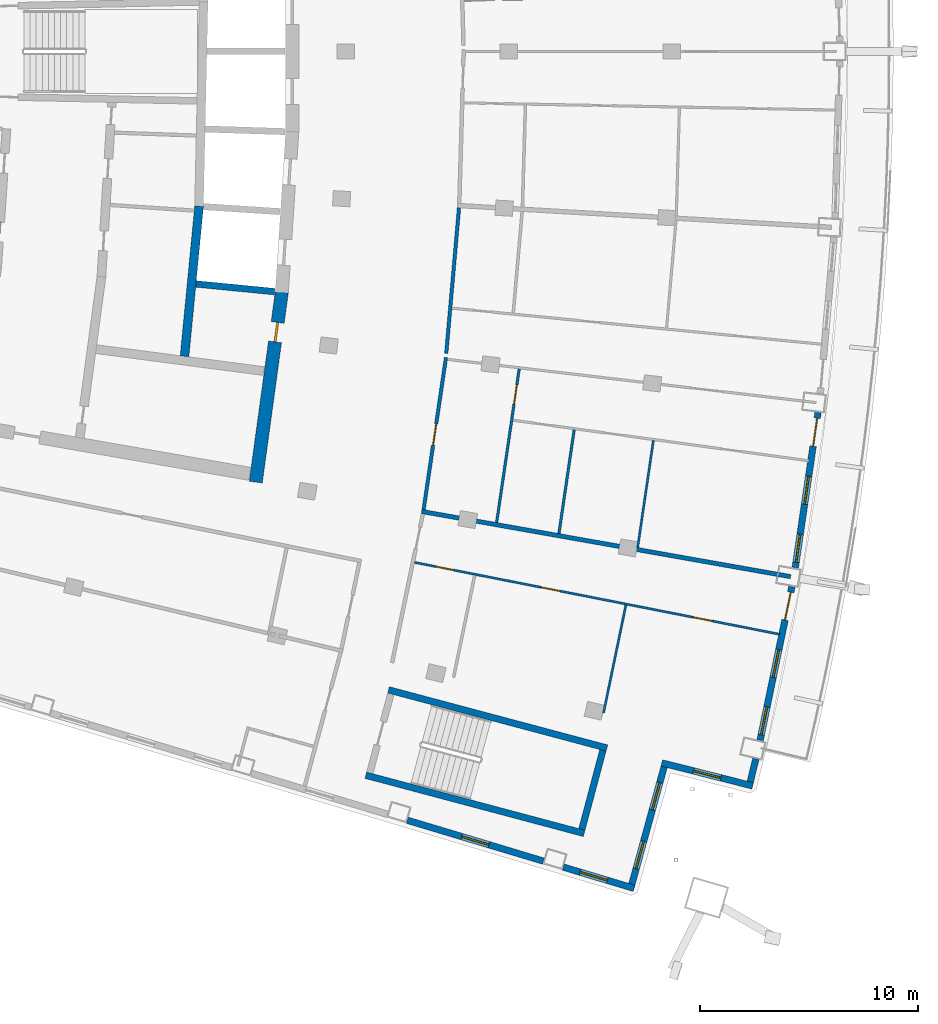
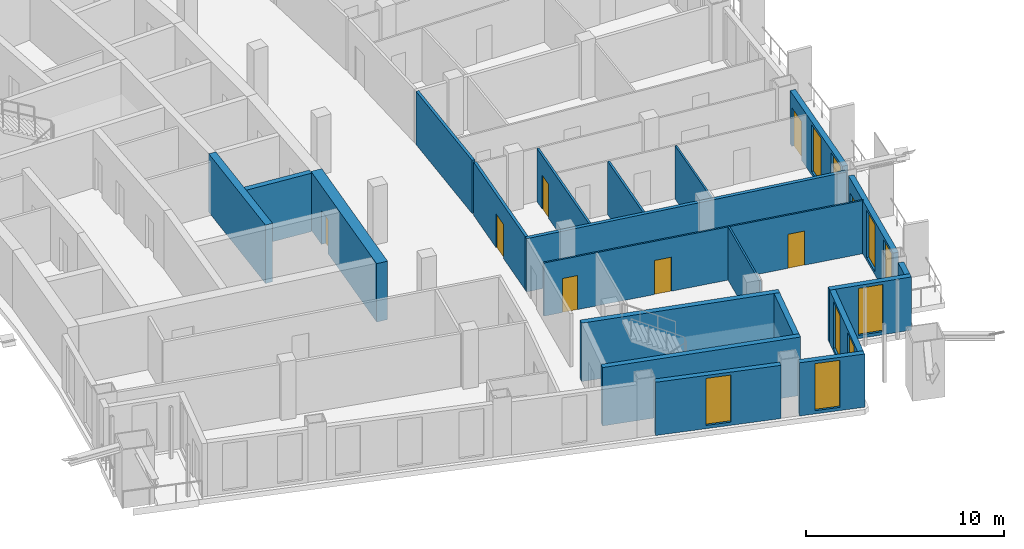
# One storey, part 10 of 21: 21 walls, 9 windows, 8 doors, 17 openings.
"""IFC4 building model written with IfcOpenShell, lengths in metres."""

from ifc_helpers import new_model, si_unit, direction, frame, frame_2d, origin, place, context, subcontext, project, spatial, rectangle, extrude, material, layer, layer_set, type_object, element, fill, save


model = new_model("IFC4")

# Units and contexts
model_context = context("Model", 3, precision=1e-05, world=origin(), true_north=direction((0.0, 1.0)))
body_context = subcontext(model_context, "Body", "Model", "MODEL_VIEW")
ifc_project = project(units=[si_unit("LENGTHUNIT", "METRE"), si_unit("AREAUNIT", "SQUARE_METRE"), si_unit("VOLUMEUNIT", "CUBIC_METRE"), si_unit("PLANEANGLEUNIT", "RADIAN"), si_unit("MASSUNIT", "GRAM", prefix="KILO")], contexts=[model_context])

# Site, building, storey
site_placement = place(None, origin())
site = spatial("IfcSite", under=ifc_project, at=site_placement, CompositionType="ELEMENT")
building_placement = place(site_placement, origin())
building = spatial("IfcBuilding", under=site, at=building_placement, Name="Alderwake Tower", CompositionType="ELEMENT")
storey_placement = place(building_placement, frame((0.0, 0.0, 207.199951171875)))
storey = spatial("IfcBuildingStorey", under=building, at=storey_placement, Name="L51", CompositionType="ELEMENT", Elevation=207.199951171875)

# Wall, opening, door
ifc_material_1 = material(Name="Concrete C70/85", Category="concrete")
ifc_layer_1 = layer(ifc_material_1, 0.60009765625)
ifc_layer_set_1 = layer_set([ifc_layer_1], Name="Core wall outer 600 C70-85")
wall_type_1 = type_object("IfcWallType", Name="Core wall outer 600 C70-85", PredefinedType="SHEAR", material=ifc_layer_set_1)
wall_1_placement = place(storey_placement, frame((32.862548828125, 49.967529296875, 0.0), z_axis=(0.0, 0.0, 1.0), x_axis=(-0.135856583698, -0.990728514108, 0.0)))
wall_1 = element("IfcWall", 1, at=wall_1_placement, inside=storey, type_object=wall_type_1, Name="Core wall CW.017", PredefinedType="SHEAR", context=body_context, shape_type="SweptSolid", body=[
    extrude(rectangle(XDim=8.79296875, YDim=0.60009765625, at=frame_2d((4.396484375, 0.0))), origin(), (0.0, 0.0, 1.0), 3.60009765625),
])
opening_1_placement = place(wall_1_placement, frame((1.40380859375, 0.0, 0.0)))
opening_1 = element("IfcOpeningElement", 2, at=opening_1_placement, cuts=wall_1, Name="Opening C050", PredefinedType="OPENING", context=body_context, shape_type="SweptSolid", body=[
    extrude(rectangle(XDim=0.89990234375, YDim=2.10009765625, at=frame_2d((0.449951171875, 1.050048828125))), frame((0.0, 0.31005859375, 0.0), z_axis=(0.0, -1.0, 0.0), x_axis=(1.0, 0.0, 0.0)), (0.0, 0.0, 1.0), 0.6201171875),
])
ifc_material_2 = material(Name="Painted steel leaf", Category="steel")
door_type_1 = type_object("IfcDoorType", Name="Core room door 900", OperationType="SINGLE_SWING_LEFT", PredefinedType="DOOR", material=ifc_material_2)
door_1_placement = place(opening_1_placement, origin())
door_1 = element("IfcDoor", 3, at=door_1_placement, inside=storey, type_object=door_type_1, Name="Room door", OperationType="SINGLE_SWING_RIGHT", OverallHeight=2.10009765625, OverallWidth=0.89990234375, PredefinedType="DOOR", context=body_context, shape_type="SweptSolid", body=[
    extrude(rectangle(XDim=0.89990234375, YDim=2.10009765625, at=frame_2d((0.449951171875, 1.050048828125))), frame((0.0, 0.050048828125, 0.0), z_axis=(0.0, -1.0, 0.0), x_axis=(1.0, 0.0, 0.0)), (0.0, 0.0, 1.0), 0.10009765625),
])
fill(opening_1, door_1)

# Walls
ifc_material_3 = material(Name="Concrete C70/85", Category="concrete")
ifc_layer_2 = layer(ifc_material_3, 0.300048828125)
ifc_layer_set_2 = layer_set([ifc_layer_2], Name="Core wall shaft 300 C70-85")
wall_type_2 = type_object("IfcWallType", Name="Core wall shaft 300 C70-85", PredefinedType="SHEAR", material=ifc_layer_set_2)
wall_2_placement = place(storey_placement, frame((28.92529296875, 50.341552734375, 0.0), z_axis=(0.0, 0.0, 1.0), x_axis=(0.995244416713, -0.097409193622, 0.0)))
element("IfcWall", 4, at=wall_2_placement, inside=storey, type_object=wall_type_2, Name="Core wall CW.064", PredefinedType="SHEAR", context=body_context, shape_type="SweptSolid", body=[
    extrude(rectangle(XDim=3.624267578125, YDim=0.300048828125, at=frame_2d((1.81201171875, 0.0))), origin(), (0.0, 0.0, 1.0), 3.60009765625),
])
ifc_material_4 = material(Name="Concrete C70/85", Category="concrete")
ifc_layer_3 = layer(ifc_material_4, 0.39990234375)
ifc_layer_set_3 = layer_set([ifc_layer_3], Name="Core wall spine 400 C70-85")
wall_type_3 = type_object("IfcWallType", Name="Core wall spine 400 C70-85", PredefinedType="SHEAR", material=ifc_layer_set_3)
wall_3_placement = place(storey_placement, frame((28.402587890625, 47.0234375, 0.0), z_axis=(0.0, 0.0, 1.0), x_axis=(0.096500230077, 0.995332962177, 0.0)))
element("IfcWall", 5, at=wall_3_placement, inside=storey, type_object=wall_type_3, Name="Core wall CW.005", PredefinedType="SHEAR", context=body_context, shape_type="SweptSolid", body=[
    extrude(rectangle(XDim=6.914306640625, YDim=0.39990234375, at=frame_2d((3.45703125, 0.0))), origin(), (0.0, 0.0, 1.0), 3.60009765625),
])
ifc_material_5 = material(Name="Concrete C70/85", Category="concrete")
ifc_layer_4 = layer(ifc_material_5, 0.300048828125)
ifc_layer_set_4 = layer_set([ifc_layer_4], Name="Core wall stair enclosure 300 C70-85")
wall_type_4 = type_object("IfcWallType", Name="Core wall stair enclosure 300 C70-85", PredefinedType="SHEAR", material=ifc_layer_set_4)
for number, where, z_axis, x_axis, name in (
    (6, (37.75390625, 31.731201171875, 0.0), (0.0, 0.0, 1.0), (0.966309214305, -0.257383958996, 0.0), "Core wall CW.086"),
    (7, (36.71142578125, 27.817626953125, 0.0), (0.0, 0.0, 1.0), (0.966309214305, -0.257383958996, 0.0), "Core wall CW.088"),
):
    element("IfcWall", number, at=place(storey_placement, frame(where, z_axis=z_axis, x_axis=x_axis)), inside=storey, type_object=wall_type_4, Name=name, PredefinedType="SHEAR", context=body_context, shape_type="SweptSolid", body=[
        extrude(rectangle(XDim=10.360107421875, YDim=0.300048828125, at=frame_2d((5.18017578125, 0.0))), origin(), (0.0, 0.0, 1.0), 3.60009765625),
    ])
wall_4_placement = place(storey_placement, frame((46.6162109375, 25.334716796875, 0.0), z_axis=(0.0, 0.0, 1.0), x_axis=(0.257366821694, 0.966313778796, 0.0)))
element("IfcWall", 8, at=wall_4_placement, inside=storey, type_object=wall_type_4, Name="Core wall CW.085", PredefinedType="SHEAR", context=body_context, shape_type="SweptSolid", body=[
    extrude(rectangle(XDim=3.749755859375, YDim=0.300048828125, at=frame_2d((1.875, 0.0))), origin(), (0.0, 0.0, 1.0), 3.60009765625),
])

# Wall, opening, door
ifc_material_6 = material(Name="Gypsum board on metal studs, rated")
ifc_layer_5 = layer(ifc_material_6, 0.159912109375)
ifc_layer_set_5 = layer_set([ifc_layer_5], Name="Corridor wall 160")
wall_type_5 = type_object("IfcWallType", Name="Corridor wall 160", PredefinedType="PARTITIONING", material=ifc_layer_set_5)
wall_5_placement = place(storey_placement, frame((40.388671875, 46.97216796875, 0.0), z_axis=(0.0, 0.0, 1.0), x_axis=(-0.145525888156, -0.989354444007, 0.0)))
wall_5 = element("IfcWall", 9, at=wall_5_placement, inside=storey, type_object=wall_type_5, Name="WL/L51/W21", PredefinedType="PARTITIONING", context=body_context, shape_type="SweptSolid", body=[
    extrude(rectangle(XDim=7.051025390625, YDim=0.159912109375, at=frame_2d((3.525390625, 0.0))), origin(), (0.0, 0.0, 1.0), 3.280029296875),
])
opening_2_placement = place(wall_5_placement, frame((3.066162109375, 0.0, 0.0)))
opening_2 = element("IfcOpeningElement", 10, at=opening_2_placement, cuts=wall_5, Name="Opening R14-U04.2", PredefinedType="OPENING", context=body_context, shape_type="SweptSolid", body=[
    extrude(rectangle(XDim=1.0, YDim=2.10009765625, at=frame_2d((0.5, 1.050048828125))), frame((0.0, 0.08984375, 0.0), z_axis=(0.0, -1.0, 0.0), x_axis=(1.0, 0.0, 0.0)), (0.0, 0.0, 1.0), 0.179931640625),
])
ifc_material_7 = material(Name="Solid timber leaf in steel frame", Category="steel")
door_type_2 = type_object("IfcDoorType", Name="Flat entrance door 1000 fire-rated", OperationType="SINGLE_SWING_LEFT", PredefinedType="DOOR", material=ifc_material_7)
door_2_placement = place(opening_2_placement, origin())
door_2 = element("IfcDoor", 11, at=door_2_placement, inside=storey, type_object=door_type_2, Name="DR/L51/U04.2", OperationType="SINGLE_SWING_LEFT", OverallHeight=2.10009765625, OverallWidth=1.0, PredefinedType="DOOR", context=body_context, shape_type="SweptSolid", body=[
    extrude(rectangle(XDim=1.0, YDim=2.10009765625, at=frame_2d((0.5, 1.050048828125))), frame((0.0, 0.02490234375, 0.0), z_axis=(0.0, -1.0, 0.0), x_axis=(1.0, 0.0, 0.0)), (0.0, 0.0, 1.0), 0.050048828125),
])
fill(opening_2, door_2)

# Walls
wall_6_placement = place(storey_placement, frame((40.400390625, 47.15869140625, 0.0), z_axis=(0.0, 0.0, 1.0), x_axis=(0.087437661692, 0.996169993183, 0.0)))
element("IfcWall", 12, at=wall_6_placement, inside=storey, type_object=wall_type_5, Name="WL/L51/W24", PredefinedType="PARTITIONING", context=body_context, shape_type="SweptSolid", body=[
    extrude(rectangle(XDim=6.701171875, YDim=0.159912109375, at=frame_2d((3.3505859375, 0.0))), origin(), (0.0, 0.0, 1.0), 3.280029296875),
])
ifc_material_8 = material(Name="Precast concrete C50/60 spandrel panel", Category="concrete")
ifc_layer_6 = layer(ifc_material_8, 0.300048828125)
ifc_layer_set_6 = layer_set([ifc_layer_6], Name="External wall EW1 Precast concrete C50/60 spandrel")
wall_type_6 = type_object("IfcWallType", Name="External wall EW1 Precast concrete C50/60 spandrel", PredefinedType="SOLIDWALL", material=ifc_layer_set_6)
wall_7_placement = place(storey_placement, frame((54.336181640625, 27.51220703125, 0.0), z_axis=(0.0, 0.0, 1.0), x_axis=(0.238257462472, 0.971202029228, 0.0)))
element("IfcWall", 13, at=wall_7_placement, inside=storey, type_object=wall_type_6, Name="External wall 11", PredefinedType="SOLIDWALL", context=body_context, shape_type="SweptSolid", body=[
    extrude(rectangle(XDim=1.088134765625, YDim=0.300048828125, at=frame_2d((0.5439453125, 0.0))), origin(), (0.0, 0.0, 1.0), 3.280029296875),
])

# Wall, openings, door, windows
wall_8_placement = place(storey_placement, frame((54.788818359375, 29.42529296875, 0.0), z_axis=(0.0, 0.0, 1.0), x_axis=(0.202741640608, 0.979232264156, 0.0)))
wall_8 = element("IfcWall", 14, at=wall_8_placement, inside=storey, type_object=wall_type_6, Name="External wall 12", PredefinedType="SOLIDWALL", context=body_context, shape_type="SweptSolid", body=[
    extrude(rectangle(XDim=7.1806640625, YDim=0.300048828125, at=frame_2d((3.59033203125, 0.0))), origin(), (0.0, 0.0, 1.0), 3.280029296875),
])
opening_3_placement = place(wall_8_placement, frame((0.25341796875, 0.0, 0.199951171875)))
opening_3 = element("IfcOpeningElement", 15, at=opening_3_placement, cuts=wall_8, Name="Opening W1", PredefinedType="OPENING", context=body_context, shape_type="SweptSolid", body=[
    extrude(rectangle(XDim=1.300048828125, YDim=2.89990234375, at=frame_2d((0.64990234375, 1.449951171875))), frame((0.0, 0.159912109375, 0.0), z_axis=(0.0, -1.0, 0.0), x_axis=(1.0, 0.0, 0.0)), (0.0, 0.0, 1.0), 0.320068359375),
])
opening_4_placement = place(wall_8_placement, frame((2.940185546875, 0.0, 0.199951171875)))
opening_4 = element("IfcOpeningElement", 16, at=opening_4_placement, cuts=wall_8, Name="Opening W1", PredefinedType="OPENING", context=body_context, shape_type="SweptSolid", body=[
    extrude(rectangle(XDim=1.300048828125, YDim=2.89990234375, at=frame_2d((0.64990234375, 1.449951171875))), frame((0.0, 0.159912109375, 0.0), z_axis=(0.0, -1.0, 0.0), x_axis=(1.0, 0.0, 0.0)), (0.0, 0.0, 1.0), 0.320068359375),
])
opening_5_placement = place(wall_8_placement, frame((5.626953125, 0.0, 0.0)))
opening_5 = element("IfcOpeningElement", 17, at=opening_5_placement, cuts=wall_8, Name="Opening D02", PredefinedType="OPENING", context=body_context, shape_type="SweptSolid", body=[
    extrude(rectangle(XDim=1.300048828125, YDim=2.39990234375, at=frame_2d((0.64990234375, 1.199951171875))), frame((0.0, 0.159912109375, 0.0), z_axis=(0.0, -1.0, 0.0), x_axis=(1.0, 0.0, 0.0)), (0.0, 0.0, 1.0), 0.320068359375),
])
ifc_material_9 = material(Name="Bronze tinted glass in aluminium frame", Category="aluminium")
door_type_3 = type_object("IfcDoorType", Name="Balcony door BD sliding", OperationType="SLIDING_TO_LEFT", PredefinedType="DOOR", material=ifc_material_9)
door_3_placement = place(opening_5_placement, origin())
door_3 = element("IfcDoor", 18, at=door_3_placement, inside=storey, type_object=door_type_3, Name="Door D02", OperationType="SLIDING_TO_LEFT", OverallHeight=2.39990234375, OverallWidth=1.300048828125, PredefinedType="DOOR", context=body_context, shape_type="SweptSolid", body=[
    extrude(rectangle(XDim=1.300048828125, YDim=2.39990234375, at=frame_2d((0.64990234375, 1.199951171875))), frame((0.0, 0.02490234375, 0.0), z_axis=(0.0, -1.0, 0.0), x_axis=(1.0, 0.0, 0.0)), (0.0, 0.0, 1.0), 0.050048828125),
])
fill(opening_5, door_3)
ifc_material_10 = material(Name="Bronze tinted glass in aluminium frame", Category="aluminium")
window_type = type_object("IfcWindowType", Name="Window W1 tall fixed and vent", PartitioningType="DOUBLE_PANEL_VERTICAL", PredefinedType="WINDOW", material=ifc_material_10)
window_1_placement = place(opening_3_placement, origin())
window_1 = element("IfcWindow", 19, at=window_1_placement, inside=storey, type_object=window_type, Name="Window W1 tall fixed and vent", OverallHeight=2.89990234375, OverallWidth=1.300048828125, PartitioningType="DOUBLE_PANEL_VERTICAL", PredefinedType="WINDOW", context=body_context, shape_type="SweptSolid", body=[
    extrude(rectangle(XDim=1.300048828125, YDim=2.89990234375, at=frame_2d((0.64990234375, 1.449951171875))), frame((0.0, 0.030029296875, 0.0), z_axis=(0.0, -1.0, 0.0), x_axis=(1.0, 0.0, 0.0)), (0.0, 0.0, 1.0), 0.06005859375),
])
fill(opening_3, window_1)
window_2_placement = place(opening_4_placement, origin())
window_2 = element("IfcWindow", 20, at=window_2_placement, inside=storey, type_object=window_type, Name="Window W1 tall fixed and vent", OverallHeight=2.89990234375, OverallWidth=1.300048828125, PartitioningType="DOUBLE_PANEL_VERTICAL", PredefinedType="WINDOW", context=body_context, shape_type="SweptSolid", body=[
    extrude(rectangle(XDim=1.300048828125, YDim=2.89990234375, at=frame_2d((0.64990234375, 1.449951171875))), frame((0.0, 0.030029296875, 0.0), z_axis=(0.0, -1.0, 0.0), x_axis=(1.0, 0.0, 0.0)), (0.0, 0.0, 1.0), 0.06005859375),
])
fill(opening_4, window_2)

wall_9_placement = place(storey_placement, frame((56.400390625, 37.33740234375, 0.0), z_axis=(0.0, 0.0, 1.0), x_axis=(0.145323662677, 0.989384168595, 0.0)))
wall_9 = element("IfcWall", 21, at=wall_9_placement, inside=storey, type_object=wall_type_6, Name="External wall 13", PredefinedType="SOLIDWALL", context=body_context, shape_type="SweptSolid", body=[
    extrude(rectangle(XDim=7.18017578125, YDim=0.300048828125, at=frame_2d((3.590087890625, 0.0))), origin(), (0.0, 0.0, 1.0), 3.280029296875),
])
opening_6_placement = place(wall_9_placement, frame((0.25341796875, 0.0, 0.199951171875)))
opening_6 = element("IfcOpeningElement", 22, at=opening_6_placement, cuts=wall_9, Name="Opening W1", PredefinedType="OPENING", context=body_context, shape_type="SweptSolid", body=[
    extrude(rectangle(XDim=1.300048828125, YDim=2.89990234375, at=frame_2d((0.64990234375, 1.449951171875))), frame((0.0, 0.159912109375, 0.0), z_axis=(0.0, -1.0, 0.0), x_axis=(1.0, 0.0, 0.0)), (0.0, 0.0, 1.0), 0.320068359375),
])
opening_7_placement = place(wall_9_placement, frame((2.940185546875, 0.0, 0.199951171875)))
opening_7 = element("IfcOpeningElement", 23, at=opening_7_placement, cuts=wall_9, Name="Opening W1", PredefinedType="OPENING", context=body_context, shape_type="SweptSolid", body=[
    extrude(rectangle(XDim=1.300048828125, YDim=2.89990234375, at=frame_2d((0.64990234375, 1.449951171875))), frame((0.0, 0.159912109375, 0.0), z_axis=(0.0, -1.0, 0.0), x_axis=(1.0, 0.0, 0.0)), (0.0, 0.0, 1.0), 0.320068359375),
])
opening_8_placement = place(wall_9_placement, frame((5.626953125, 0.0, 0.0)))
opening_8 = element("IfcOpeningElement", 24, at=opening_8_placement, cuts=wall_9, Name="Opening D03", PredefinedType="OPENING", context=body_context, shape_type="SweptSolid", body=[
    extrude(rectangle(XDim=1.300048828125, YDim=2.39990234375, at=frame_2d((0.64990234375, 1.199951171875))), frame((0.0, 0.159912109375, 0.0), z_axis=(0.0, -1.0, 0.0), x_axis=(1.0, 0.0, 0.0)), (0.0, 0.0, 1.0), 0.320068359375),
])
door_4_placement = place(opening_8_placement, origin())
door_4 = element("IfcDoor", 25, at=door_4_placement, inside=storey, type_object=door_type_3, Name="Door D03", OperationType="SLIDING_TO_LEFT", OverallHeight=2.39990234375, OverallWidth=1.300048828125, PredefinedType="DOOR", context=body_context, shape_type="SweptSolid", body=[
    extrude(rectangle(XDim=1.300048828125, YDim=2.39990234375, at=frame_2d((0.64990234375, 1.199951171875))), frame((0.0, 0.02490234375, 0.0), z_axis=(0.0, -1.0, 0.0), x_axis=(1.0, 0.0, 0.0)), (0.0, 0.0, 1.0), 0.050048828125),
])
fill(opening_8, door_4)
window_3_placement = place(opening_6_placement, origin())
window_3 = element("IfcWindow", 26, at=window_3_placement, inside=storey, type_object=window_type, Name="Window W1 tall fixed and vent", OverallHeight=2.89990234375, OverallWidth=1.300048828125, PartitioningType="DOUBLE_PANEL_VERTICAL", PredefinedType="WINDOW", context=body_context, shape_type="SweptSolid", body=[
    extrude(rectangle(XDim=1.300048828125, YDim=2.89990234375, at=frame_2d((0.64990234375, 1.449951171875))), frame((0.0, 0.030029296875, 0.0), z_axis=(0.0, -1.0, 0.0), x_axis=(1.0, 0.0, 0.0)), (0.0, 0.0, 1.0), 0.06005859375),
])
fill(opening_6, window_3)
window_4_placement = place(opening_7_placement, origin())
window_4 = element("IfcWindow", 27, at=window_4_placement, inside=storey, type_object=window_type, Name="Window W1 tall fixed and vent", OverallHeight=2.89990234375, OverallWidth=1.300048828125, PartitioningType="DOUBLE_PANEL_VERTICAL", PredefinedType="WINDOW", context=body_context, shape_type="SweptSolid", body=[
    extrude(rectangle(XDim=1.300048828125, YDim=2.89990234375, at=frame_2d((0.64990234375, 1.449951171875))), frame((0.0, 0.030029296875, 0.0), z_axis=(0.0, -1.0, 0.0), x_axis=(1.0, 0.0, 0.0)), (0.0, 0.0, 1.0), 0.06005859375),
])
fill(opening_7, window_4)

# Wall, opening, window
ifc_material_11 = material(Name="Bronze metal cladding on lightweight framing")
ifc_layer_7 = layer(ifc_material_11, 0.300048828125)
ifc_layer_set_7 = layer_set([ifc_layer_7], Name="External wall EW2 bronze metal cladding")
wall_type_7 = type_object("IfcWallType", Name="External wall EW2 bronze metal cladding", PredefinedType="SOLIDWALL", material=ifc_layer_set_7)
wall_10_placement = place(storey_placement, frame((38.61669921875, 25.75341796875, 0.0), z_axis=(0.0, 0.0, 1.0), x_axis=(0.957764359699, -0.287554223219, 0.0)))
wall_10 = element("IfcWall", 28, at=wall_10_placement, inside=storey, type_object=wall_type_7, Name="External wall 7", PredefinedType="SOLIDWALL", context=body_context, shape_type="SweptSolid", body=[
    extrude(rectangle(XDim=6.512939453125, YDim=0.300048828125, at=frame_2d((3.25634765625, 0.0))), origin(), (0.0, 0.0, 1.0), 3.280029296875),
])
opening_9_placement = place(wall_10_placement, frame((2.6064453125, 0.0, 0.199951171875)))
opening_9 = element("IfcOpeningElement", 29, at=opening_9_placement, cuts=wall_10, Name="Opening W1", PredefinedType="OPENING", context=body_context, shape_type="SweptSolid", body=[
    extrude(rectangle(XDim=1.300048828125, YDim=2.89990234375, at=frame_2d((0.64990234375, 1.449951171875))), frame((0.0, 0.159912109375, 0.0), z_axis=(0.0, -1.0, 0.0), x_axis=(1.0, 0.0, 0.0)), (0.0, 0.0, 1.0), 0.320068359375),
])
window_5_placement = place(opening_9_placement, origin())
window_5 = element("IfcWindow", 30, at=window_5_placement, inside=storey, type_object=window_type, Name="Window W1 tall fixed and vent", OverallHeight=2.89990234375, OverallWidth=1.300048828125, PartitioningType="DOUBLE_PANEL_VERTICAL", PredefinedType="WINDOW", context=body_context, shape_type="SweptSolid", body=[
    extrude(rectangle(XDim=1.300048828125, YDim=2.89990234375, at=frame_2d((0.64990234375, 1.449951171875))), frame((0.0, 0.030029296875, 0.0), z_axis=(0.0, -1.0, 0.0), x_axis=(1.0, 0.0, 0.0)), (0.0, 0.0, 1.0), 0.06005859375),
])
fill(opening_9, window_5)

wall_11_placement = place(storey_placement, frame((45.767822265625, 23.606201171875, 0.0), z_axis=(0.0, 0.0, 1.0), x_axis=(0.957772718114, -0.287526382159, 0.0)))
wall_11 = element("IfcWall", 31, at=wall_11_placement, inside=storey, type_object=wall_type_7, Name="External wall 8", PredefinedType="SOLIDWALL", context=body_context, shape_type="SweptSolid", body=[
    extrude(rectangle(XDim=3.387939453125, YDim=0.300048828125, at=frame_2d((1.69384765625, 0.0))), origin(), (0.0, 0.0, 1.0), 3.280029296875),
])
opening_10_placement = place(wall_11_placement, frame((0.8056640625, 0.0, 0.199951171875)))
opening_10 = element("IfcOpeningElement", 32, at=opening_10_placement, cuts=wall_11, Name="Opening W1", PredefinedType="OPENING", context=body_context, shape_type="SweptSolid", body=[
    extrude(rectangle(XDim=1.300048828125, YDim=2.89990234375, at=frame_2d((0.64990234375, 1.449951171875))), frame((0.0, 0.159912109375, 0.0), z_axis=(0.0, -1.0, 0.0), x_axis=(1.0, 0.0, 0.0)), (0.0, 0.0, 1.0), 0.320068359375),
])
window_6_placement = place(opening_10_placement, origin())
window_6 = element("IfcWindow", 33, at=window_6_placement, inside=storey, type_object=window_type, Name="Window W1 tall fixed and vent", OverallHeight=2.89990234375, OverallWidth=1.300048828125, PartitioningType="DOUBLE_PANEL_VERTICAL", PredefinedType="WINDOW", context=body_context, shape_type="SweptSolid", body=[
    extrude(rectangle(XDim=1.300048828125, YDim=2.89990234375, at=frame_2d((0.64990234375, 1.449951171875))), frame((0.0, 0.030029296875, 0.0), z_axis=(0.0, -1.0, 0.0), x_axis=(1.0, 0.0, 0.0)), (0.0, 0.0, 1.0), 0.06005859375),
])
fill(opening_10, window_6)

# Wall, openings, windows
wall_12_placement = place(storey_placement, frame((48.90869140625, 22.81982421875, 0.0), z_axis=(0.0, 0.0, 1.0), x_axis=(0.265100570168, 0.964220767095, 0.0)))
wall_12 = element("IfcWall", 34, at=wall_12_placement, inside=storey, type_object=wall_type_7, Name="External wall 9", PredefinedType="SOLIDWALL", context=body_context, shape_type="SweptSolid", body=[
    extrude(rectangle(XDim=5.581787109375, YDim=0.300048828125, at=frame_2d((2.791015625, 0.0))), origin(), (0.0, 0.0, 1.0), 3.280029296875),
])
opening_11_placement = place(wall_12_placement, frame((0.745361328125, 0.0, 0.199951171875)))
opening_11 = element("IfcOpeningElement", 35, at=opening_11_placement, cuts=wall_12, Name="Opening W1", PredefinedType="OPENING", context=body_context, shape_type="SweptSolid", body=[
    extrude(rectangle(XDim=1.300048828125, YDim=2.89990234375, at=frame_2d((0.64990234375, 1.449951171875))), frame((0.0, 0.159912109375, 0.0), z_axis=(0.0, -1.0, 0.0), x_axis=(1.0, 0.0, 0.0)), (0.0, 0.0, 1.0), 0.320068359375),
])
opening_12_placement = place(wall_12_placement, frame((3.536376953125, 0.0, 0.199951171875)))
opening_12 = element("IfcOpeningElement", 36, at=opening_12_placement, cuts=wall_12, Name="Opening W1", PredefinedType="OPENING", context=body_context, shape_type="SweptSolid", body=[
    extrude(rectangle(XDim=1.300048828125, YDim=2.89990234375, at=frame_2d((0.64990234375, 1.449951171875))), frame((0.0, 0.159912109375, 0.0), z_axis=(0.0, -1.0, 0.0), x_axis=(1.0, 0.0, 0.0)), (0.0, 0.0, 1.0), 0.320068359375),
])
window_7_placement = place(opening_11_placement, origin())
window_7 = element("IfcWindow", 37, at=window_7_placement, inside=storey, type_object=window_type, Name="Window W1 tall fixed and vent", OverallHeight=2.89990234375, OverallWidth=1.300048828125, PartitioningType="DOUBLE_PANEL_VERTICAL", PredefinedType="WINDOW", context=body_context, shape_type="SweptSolid", body=[
    extrude(rectangle(XDim=1.300048828125, YDim=2.89990234375, at=frame_2d((0.64990234375, 1.449951171875))), frame((0.0, 0.030029296875, 0.0), z_axis=(0.0, -1.0, 0.0), x_axis=(1.0, 0.0, 0.0)), (0.0, 0.0, 1.0), 0.06005859375),
])
fill(opening_11, window_7)
window_8_placement = place(opening_12_placement, origin())
window_8 = element("IfcWindow", 38, at=window_8_placement, inside=storey, type_object=window_type, Name="Window W1 tall fixed and vent", OverallHeight=2.89990234375, OverallWidth=1.300048828125, PartitioningType="DOUBLE_PANEL_VERTICAL", PredefinedType="WINDOW", context=body_context, shape_type="SweptSolid", body=[
    extrude(rectangle(XDim=1.300048828125, YDim=2.89990234375, at=frame_2d((0.64990234375, 1.449951171875))), frame((0.0, 0.030029296875, 0.0), z_axis=(0.0, -1.0, 0.0), x_axis=(1.0, 0.0, 0.0)), (0.0, 0.0, 1.0), 0.06005859375),
])
fill(opening_12, window_8)

# Wall, opening, window
wall_13_placement = place(storey_placement, frame((50.282958984375, 28.38330078125, 0.0), z_axis=(0.0, 0.0, 1.0), x_axis=(0.969425962264, -0.245383992325, 0.0)))
wall_13 = element("IfcWall", 39, at=wall_13_placement, inside=storey, type_object=wall_type_7, Name="External wall 10", PredefinedType="SOLIDWALL", context=body_context, shape_type="SweptSolid", body=[
    extrude(rectangle(XDim=4.294189453125, YDim=0.300048828125, at=frame_2d((2.14697265625, 0.0))), origin(), (0.0, 0.0, 1.0), 3.280029296875),
])
opening_13_placement = place(wall_13_placement, frame((1.4970703125, 0.0, 0.199951171875)))
opening_13 = element("IfcOpeningElement", 40, at=opening_13_placement, cuts=wall_13, Name="Opening W1", PredefinedType="OPENING", context=body_context, shape_type="SweptSolid", body=[
    extrude(rectangle(XDim=1.300048828125, YDim=2.89990234375, at=frame_2d((0.64990234375, 1.449951171875))), frame((0.0, 0.159912109375, 0.0), z_axis=(0.0, -1.0, 0.0), x_axis=(1.0, 0.0, 0.0)), (0.0, 0.0, 1.0), 0.320068359375),
])
window_9_placement = place(opening_13_placement, origin())
window_9 = element("IfcWindow", 41, at=window_9_placement, inside=storey, type_object=window_type, Name="Window W1 tall fixed and vent", OverallHeight=2.89990234375, OverallWidth=1.300048828125, PartitioningType="DOUBLE_PANEL_VERTICAL", PredefinedType="WINDOW", context=body_context, shape_type="SweptSolid", body=[
    extrude(rectangle(XDim=1.300048828125, YDim=2.89990234375, at=frame_2d((0.64990234375, 1.449951171875))), frame((0.0, 0.030029296875, 0.0), z_axis=(0.0, -1.0, 0.0), x_axis=(1.0, 0.0, 0.0)), (0.0, 0.0, 1.0), 0.06005859375),
])
fill(opening_13, window_9)

# Wall
ifc_material_12 = material(Name="Dense block masonry wall", Category="masonry")
ifc_layer_8 = layer(ifc_material_12, 0.199951171875)
ifc_layer_set_8 = layer_set([ifc_layer_8], Name="Party wall 200")
wall_type_8 = type_object("IfcWallType", Name="Party wall 200", PredefinedType="SOLIDWALL", material=ifc_layer_set_8)
wall_14_placement = place(storey_placement, frame((56.18701171875, 36.9208984375, 0.0), z_axis=(0.0, 0.0, 1.0), x_axis=(-0.984738604475, 0.17403988295, 0.0)))
element("IfcWall", 42, at=wall_14_placement, inside=storey, type_object=wall_type_8, Name="WL/L51/W01", PredefinedType="SOLIDWALL", context=body_context, shape_type="SweptSolid", body=[
    extrude(rectangle(XDim=17.179931640625, YDim=0.199951171875, at=frame_2d((8.58984375, 0.0))), origin(), (0.0, 0.0, 1.0), 3.280029296875),
])

# Wall, openings, doors
ifc_material_13 = material(Name="Gypsum board on metal studs")
ifc_layer_9 = layer(ifc_material_13, 0.10009765625)
ifc_layer_set_9 = layer_set([ifc_layer_9], Name="Unit partition 100")
wall_type_9 = type_object("IfcWallType", Name="Unit partition 100", PredefinedType="PARTITIONING", material=ifc_layer_set_9)
wall_15_placement = place(storey_placement, frame((55.69189453125, 34.278076171875, 0.0), z_axis=(0.0, 0.0, 1.0), x_axis=(-0.981163437525, 0.193179473197, 0.0)))
wall_15 = element("IfcWall", 43, at=wall_15_placement, inside=storey, type_object=wall_type_9, Name="WL/L51/W43", PredefinedType="PARTITIONING", context=body_context, shape_type="SweptSolid", body=[
    extrude(rectangle(XDim=17.06396484375, YDim=0.10009765625, at=frame_2d((8.531982421875, 0.0))), origin(), (0.0, 0.0, 1.0), 3.280029296875),
])
opening_14_placement = place(wall_15_placement, frame((10.263671875, 0.0, 0.0)))
opening_14 = element("IfcOpeningElement", 44, at=opening_14_placement, cuts=wall_15, Name="Opening R14-U03.1", PredefinedType="OPENING", context=body_context, shape_type="SweptSolid", body=[
    extrude(rectangle(XDim=0.89990234375, YDim=2.10009765625, at=frame_2d((0.449951171875, 1.050048828125))), frame((0.0, 0.06005859375, 0.0), z_axis=(0.0, -1.0, 0.0), x_axis=(1.0, 0.0, 0.0)), (0.0, 0.0, 1.0), 0.1201171875),
])
opening_15_placement = place(wall_15_placement, frame((15.25439453125, 0.0, 0.0)))
opening_15 = element("IfcOpeningElement", 45, at=opening_15_placement, cuts=wall_15, Name="Opening R14-U03.3", PredefinedType="OPENING", context=body_context, shape_type="SweptSolid", body=[
    extrude(rectangle(XDim=0.800048828125, YDim=2.10009765625, at=frame_2d((0.39990234375, 1.050048828125))), frame((0.0, 0.06005859375, 0.0), z_axis=(0.0, -1.0, 0.0), x_axis=(1.0, 0.0, 0.0)), (0.0, 0.0, 1.0), 0.1201171875),
])
opening_16_placement = place(wall_15_placement, frame((3.141845703125, 0.0, 0.0)))
opening_16 = element("IfcOpeningElement", 46, at=opening_16_placement, cuts=wall_15, Name="Opening R14-U03.4", PredefinedType="OPENING", context=body_context, shape_type="SweptSolid", body=[
    extrude(rectangle(XDim=0.89990234375, YDim=2.10009765625, at=frame_2d((0.449951171875, 1.050048828125))), frame((0.0, 0.06005859375, 0.0), z_axis=(0.0, -1.0, 0.0), x_axis=(1.0, 0.0, 0.0)), (0.0, 0.0, 1.0), 0.1201171875),
])
ifc_material_14 = material(Name="Painted timber leaf", Category="wood")
door_type_4 = type_object("IfcDoorType", Name="Bathroom door 800", OperationType="SINGLE_SWING_LEFT", PredefinedType="DOOR", material=ifc_material_14)
door_5_placement = place(opening_15_placement, origin())
door_5 = element("IfcDoor", 47, at=door_5_placement, inside=storey, type_object=door_type_4, Name="DR/L51/U03.3", OperationType="SINGLE_SWING_LEFT", OverallHeight=2.10009765625, OverallWidth=0.800048828125, PredefinedType="DOOR", context=body_context, shape_type="SweptSolid", body=[
    extrude(rectangle(XDim=0.800048828125, YDim=2.10009765625, at=frame_2d((0.39990234375, 1.050048828125))), frame((0.0, 0.02490234375, 0.0), z_axis=(0.0, -1.0, 0.0), x_axis=(1.0, 0.0, 0.0)), (0.0, 0.0, 1.0), 0.050048828125),
])
fill(opening_15, door_5)
ifc_material_15 = material(Name="Painted timber leaf", Category="wood")
door_type_5 = type_object("IfcDoorType", Name="Room door 900", OperationType="SINGLE_SWING_LEFT", PredefinedType="DOOR", material=ifc_material_15)
door_6_placement = place(opening_14_placement, origin())
door_6 = element("IfcDoor", 48, at=door_6_placement, inside=storey, type_object=door_type_5, Name="DR/L51/U03.1", OperationType="SINGLE_SWING_LEFT", OverallHeight=2.10009765625, OverallWidth=0.89990234375, PredefinedType="DOOR", context=body_context, shape_type="SweptSolid", body=[
    extrude(rectangle(XDim=0.89990234375, YDim=2.10009765625, at=frame_2d((0.449951171875, 1.050048828125))), frame((0.0, 0.02490234375, 0.0), z_axis=(0.0, -1.0, 0.0), x_axis=(1.0, 0.0, 0.0)), (0.0, 0.0, 1.0), 0.050048828125),
])
fill(opening_14, door_6)
door_7_placement = place(opening_16_placement, origin())
door_7 = element("IfcDoor", 49, at=door_7_placement, inside=storey, type_object=door_type_5, Name="DR/L51/U03.4", OperationType="SINGLE_SWING_LEFT", OverallHeight=2.10009765625, OverallWidth=0.89990234375, PredefinedType="DOOR", context=body_context, shape_type="SweptSolid", body=[
    extrude(rectangle(XDim=0.89990234375, YDim=2.10009765625, at=frame_2d((0.449951171875, 1.050048828125))), frame((0.0, 0.02490234375, 0.0), z_axis=(0.0, -1.0, 0.0), x_axis=(1.0, 0.0, 0.0)), (0.0, 0.0, 1.0), 0.050048828125),
])
fill(opening_16, door_7)

# Walls
wall_16_placement = place(storey_placement, frame((47.610107421875, 30.672119140625, 0.0), z_axis=(0.0, 0.0, 1.0), x_axis=(0.20291567355, 0.979196216, 0.0)))
element("IfcWall", 50, at=wall_16_placement, inside=storey, type_object=wall_type_9, Name="WL/L51/W51", PredefinedType="PARTITIONING", context=body_context, shape_type="SweptSolid", body=[
    extrude(rectangle(XDim=5.05078125, YDim=0.10009765625, at=frame_2d((2.525390625, 0.0))), origin(), (0.0, 0.0, 1.0), 3.280029296875),
])
wall_17_placement = place(storey_placement, frame((49.175537109375, 38.261962890625, 0.0), z_axis=(0.0, 0.0, 1.0), x_axis=(0.145300878319, 0.989387514961, 0.0)))
element("IfcWall", 51, at=wall_17_placement, inside=storey, type_object=wall_type_9, Name="WL/L51/W52", PredefinedType="PARTITIONING", context=body_context, shape_type="SweptSolid", body=[
    extrude(rectangle(XDim=4.949951171875, YDim=0.10009765625, at=frame_2d((2.47509765625, 0.0))), origin(), (0.0, 0.0, 1.0), 3.280029296875),
])

# Wall, opening, door
ifc_material_16 = material(Name="Moisture resistant gypsum board on metal studs")
ifc_layer_10 = layer(ifc_material_16, 0.1201171875)
ifc_layer_set_10 = layer_set([ifc_layer_10], Name="Wet room partition 120")
wall_type_10 = type_object("IfcWallType", Name="Wet room partition 120", PredefinedType="PARTITIONING", material=ifc_layer_set_10)
wall_18_placement = place(storey_placement, frame((43.74462890625, 46.447509765625, 0.0), z_axis=(0.0, 0.0, 1.0), x_axis=(-0.145290574876, -0.989389028063, 0.0)))
wall_18 = element("IfcWall", 52, at=wall_18_placement, inside=storey, type_object=wall_type_10, Name="WL/L51/W35", PredefinedType="PARTITIONING", context=body_context, shape_type="SweptSolid", body=[
    extrude(rectangle(XDim=7.117919921875, YDim=0.1201171875, at=frame_2d((3.55908203125, 0.0))), origin(), (0.0, 0.0, 1.0), 3.280029296875),
])
opening_17_placement = place(wall_18_placement, frame((0.736572265625, 0.0, 0.0)))
opening_17 = element("IfcOpeningElement", 53, at=opening_17_placement, cuts=wall_18, Name="Opening R14-U04.3", PredefinedType="OPENING", context=body_context, shape_type="SweptSolid", body=[
    extrude(rectangle(XDim=0.89990234375, YDim=2.10009765625, at=frame_2d((0.449951171875, 1.050048828125))), frame((0.0, 0.070068359375, 0.0), z_axis=(0.0, -1.0, 0.0), x_axis=(1.0, 0.0, 0.0)), (0.0, 0.0, 1.0), 0.14013671875),
])
door_8_placement = place(opening_17_placement, origin())
door_8 = element("IfcDoor", 54, at=door_8_placement, inside=storey, type_object=door_type_5, Name="DR/L51/U04.3", OperationType="SINGLE_SWING_LEFT", OverallHeight=2.10009765625, OverallWidth=0.89990234375, PredefinedType="DOOR", context=body_context, shape_type="SweptSolid", body=[
    extrude(rectangle(XDim=0.89990234375, YDim=2.10009765625, at=frame_2d((0.449951171875, 1.050048828125))), frame((0.0, 0.02490234375, 0.0), z_axis=(0.0, -1.0, 0.0), x_axis=(1.0, 0.0, 0.0)), (0.0, 0.0, 1.0), 0.050048828125),
])
fill(opening_17, door_8)

# Wall
wall_19_placement = place(storey_placement, frame((45.56640625, 38.90087890625, 0.0), z_axis=(0.0, 0.0, 1.0), x_axis=(0.145238137818, 0.989396726962, 0.0)))
element("IfcWall", 55, at=wall_19_placement, inside=storey, type_object=wall_type_10, Name="WL/L51/W41", PredefinedType="PARTITIONING", context=body_context, shape_type="SweptSolid", body=[
    extrude(rectangle(XDim=4.8076171875, YDim=0.1201171875, at=frame_2d((2.40380859375, 0.0))), origin(), (0.0, 0.0, 1.0), 3.280029296875),
])

save(model, "model.ifc")
